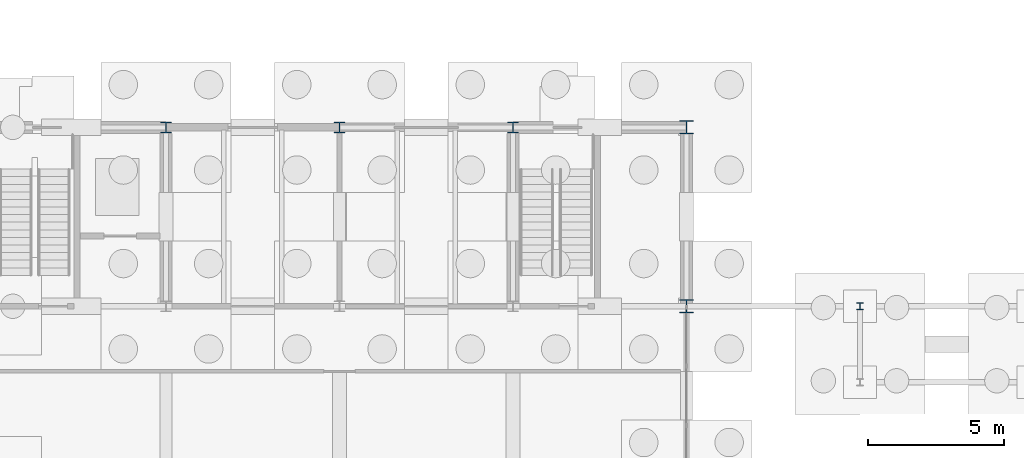
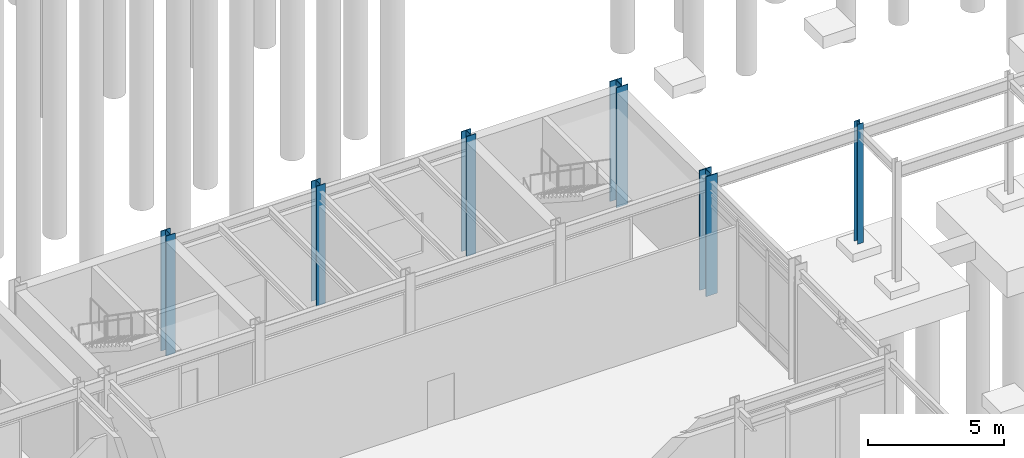
# One storey, part 14 of 82: 6 columns.
"""IFC4 building model written with IfcOpenShell, lengths in metres."""

from ifc_helpers import new_model, si_unit, direction, frame, origin, origin_2d, place, context, subcontext, project, spatial, i_section, extrude, material, material_profile, profile_set, type_object, element, save


model = new_model("IFC4")

# Units and contexts
model_context = context("Model", 3, precision=1e-05, world=origin(), true_north=direction((0.0, 1.0)))
body_context = subcontext(model_context, "Body", "Model", "MODEL_VIEW")
ifc_project = project(units=[si_unit("LENGTHUNIT", "METRE"), si_unit("AREAUNIT", "SQUARE_METRE"), si_unit("VOLUMEUNIT", "CUBIC_METRE"), si_unit("PLANEANGLEUNIT", "RADIAN"), si_unit("MASSUNIT", "GRAM", prefix="KILO")], contexts=[model_context])

# Site, building, storey
site_placement = place(None, origin())
site = spatial("IfcSite", under=ifc_project, at=site_placement, CompositionType="ELEMENT")
building_placement = place(site_placement, origin())
building = spatial("IfcBuilding", under=site, at=building_placement, Name="Trelmorton Wharf Fire Station", CompositionType="ELEMENT")
storey_placement = place(building_placement, origin())
storey = spatial("IfcBuildingStorey", under=building, at=storey_placement, Name="L00", CompositionType="ELEMENT", Elevation=0.0)

# Columns
ifc_material = material(Name="Steel Grade 350", Category="steel")
ifc_material_profile_1 = material_profile(ifc_material, i_section(OverallWidth=0.25390625, OverallDepth=0.25390625, WebThickness=0.008544921875, FlangeThickness=0.01416015625, FilletRadius=0.0126953125, at=origin_2d()), Name="250UC72.9")
ifc_profile_set_1 = profile_set([ifc_material_profile_1], Name="Steel Grade 350")
column_type_1 = type_object("IfcColumnType", Name="COL_250UC73", PredefinedType="COLUMN", material=ifc_profile_set_1)
column_placement = place(storey_placement, frame((90.0, 21.0, 0.0), z_axis=(0.0, 0.0, 1.0), x_axis=(1.0, 0.0, 0.0)))
element("IfcColumn", 1, at=column_placement, inside=storey, type_object=column_type_1, Name="COL-L00-0136", PredefinedType="COLUMN", context=body_context, shape_type="SweptSolid", body=[
    extrude(i_section(OverallWidth=0.25390625, OverallDepth=0.25390625, WebThickness=0.008544921875, FlangeThickness=0.01416015625, FilletRadius=0.0126953125, at=origin_2d()), origin(), (0.0, 0.0, 1.0), 5.39990234375),
])
ifc_material_profile_2 = material_profile(ifc_material, i_section(OverallWidth=0.39990234375, OverallDepth=0.39990234375, WebThickness=0.02001953125, FlangeThickness=0.031982421875, at=origin_2d()), Name="400WC270")
ifc_profile_set_2 = profile_set([ifc_material_profile_2], Name="Steel Grade 350")
column_type_2 = type_object("IfcColumnType", Name="COL_400WC270", PredefinedType="COLUMN", material=ifc_profile_set_2)
for number, where, z_axis, x_axis, name in (
    (2, (64.39990234375, 27.60009765625, 0.0), (0.0, 0.0, 1.0), (1.0, 0.0, 0.0), "COL-L00-0106"),
    (3, (70.800048828125, 27.60009765625, 0.0), (0.0, 0.0, 1.0), (1.0, 0.0, 0.0), "COL-L00-0110"),
    (4, (77.199951171875, 27.60009765625, 0.0), (0.0, 0.0, 1.0), (1.0, 0.0, 0.0), "COL-L00-0119"),
):
    element("IfcColumn", number, at=place(storey_placement, frame(where, z_axis=z_axis, x_axis=x_axis)), inside=storey, type_object=column_type_2, Name=name, PredefinedType="COLUMN", context=body_context, shape_type="SweptSolid", body=[
        extrude(i_section(OverallWidth=0.39990234375, OverallDepth=0.39990234375, WebThickness=0.02001953125, FlangeThickness=0.031982421875, at=origin_2d()), origin(), (0.0, 0.0, 1.0), 5.39990234375),
    ])
ifc_material_profile_3 = material_profile(ifc_material, i_section(OverallWidth=0.5, OverallDepth=0.5, WebThickness=0.02001953125, FlangeThickness=0.035888671875, at=origin_2d()), Name="500WC340")
ifc_profile_set_3 = profile_set([ifc_material_profile_3], Name="Steel Grade 350")
column_type_3 = type_object("IfcColumnType", Name="COL_500WC340", PredefinedType="COLUMN", material=ifc_profile_set_3)
for number, where, z_axis, x_axis, name in (
    (5, (83.60009765625, 21.0, 0.0), (0.0, 0.0, 1.0), (1.0, 0.0, 0.0), "COL-L00-0128"),
    (6, (83.60009765625, 27.60009765625, 0.0), (0.0, 0.0, 1.0), (1.0, 0.0, 0.0), "COL-L00-0129"),
):
    element("IfcColumn", number, at=place(storey_placement, frame(where, z_axis=z_axis, x_axis=x_axis)), inside=storey, type_object=column_type_3, Name=name, PredefinedType="COLUMN", context=body_context, shape_type="SweptSolid", body=[
        extrude(i_section(OverallWidth=0.5, OverallDepth=0.5, WebThickness=0.02001953125, FlangeThickness=0.035888671875, at=origin_2d()), origin(), (0.0, 0.0, 1.0), 5.39990234375),
    ])

save(model, "model.ifc")
